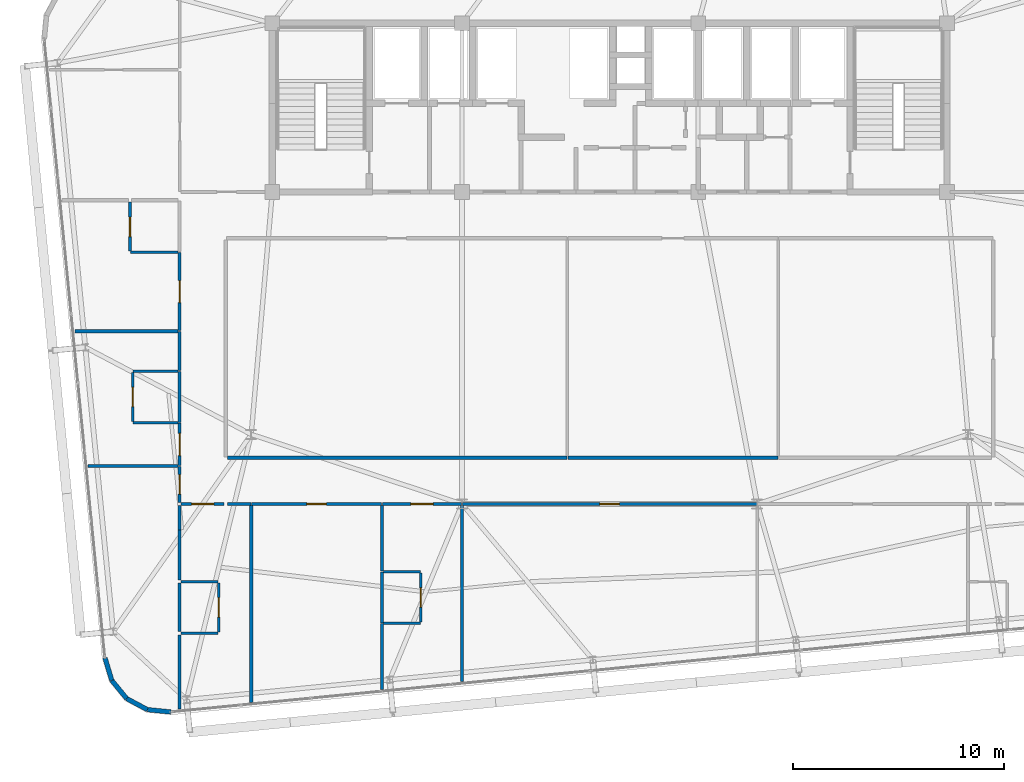
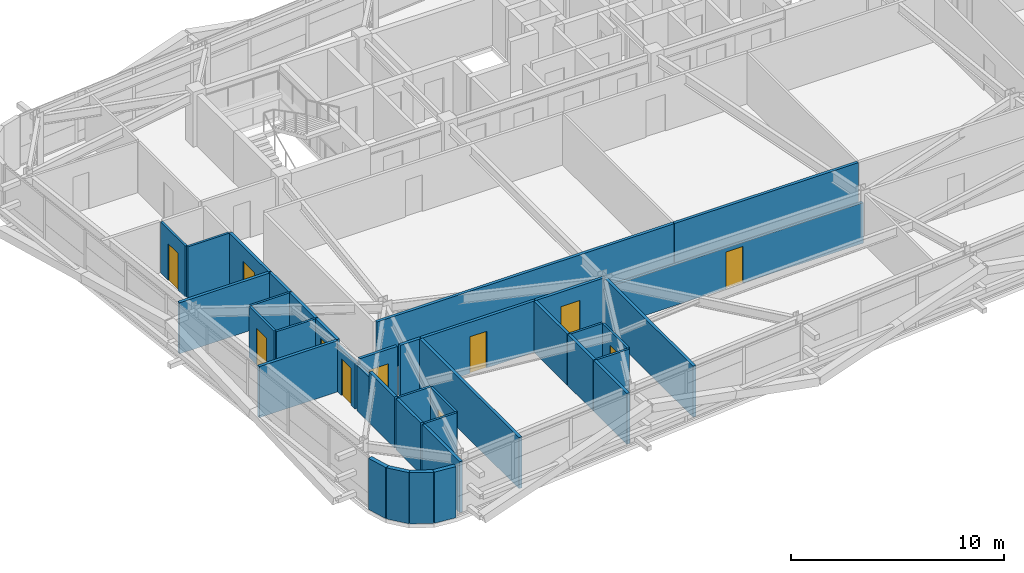
# One storey, part 46 of 53: 38 walls, 11 doors, 11 openings.
"""IFC4 building model written with IfcOpenShell, lengths in metres."""

from ifc_helpers import new_model, si_unit, direction, frame, frame_2d, origin, place, context, subcontext, project, spatial, rectangle, extrude, source, transform, mapped, material, layer, layer_set, type_object, element, fill, save


model = new_model("IFC4")

# Units and contexts
model_context = context("Model", 3, precision=1e-05, world=origin(), true_north=direction((0.0, 1.0)))
body_context = subcontext(model_context, "Body", "Model", "MODEL_VIEW")
ifc_project = project(units=[si_unit("LENGTHUNIT", "METRE"), si_unit("AREAUNIT", "SQUARE_METRE"), si_unit("VOLUMEUNIT", "CUBIC_METRE"), si_unit("PLANEANGLEUNIT", "RADIAN"), si_unit("MASSUNIT", "GRAM", prefix="KILO")], contexts=[model_context])

# Site, building, storey
site_placement = place(None, origin())
site = spatial("IfcSite", under=ifc_project, at=site_placement, CompositionType="ELEMENT")
building_placement = place(site_placement, origin())
building = spatial("IfcBuilding", under=site, at=building_placement, Name="Taldren Reach Tower", CompositionType="ELEMENT")
storey_placement = place(building_placement, frame((0.0, 0.0, 80.85009765625)))
storey = spatial("IfcBuildingStorey", under=building, at=storey_placement, Name="L24", CompositionType="ELEMENT", Elevation=80.85009765625)

# Walls
ifc_material_1 = material(Name="Pale Champagne Anodised Aluminium Cladding", Category="aluminium")
ifc_layer_1 = layer(ifc_material_1, 0.04, Name="Pale Champagne Anodised Aluminium Cladding", Category="aluminium")
ifc_material_2 = material(Name="Mineral Wool Acoustic Insulation", Category="insulation")
ifc_layer_2 = layer(ifc_material_2, 0.06, Name="Mineral Wool Acoustic Insulation", Category="insulation")
ifc_material_3 = material(Name="Steel Gr 350 (C350L0)", Category="steel")
ifc_layer_3 = layer(ifc_material_3, 0.12, Name="Steel Gr 350 (C350L0)", Category="steel")
ifc_layer_set_1 = layer_set([ifc_layer_1, ifc_layer_2, ifc_layer_3], Name="Pale Champagne Aluminium Cladding and Steel Gr 350 Stud Framing")
wall_type_1 = type_object("IfcWallType", Name="EW-CRN-220", PredefinedType="SOLIDWALL", material=ifc_layer_set_1)
shared_shape_1 = source(origin(), body_context, "Body", "SweptSolid", [
    extrude(rectangle(XDim=1.115966796875, YDim=0.219970703125, at=frame_2d((0.55810546875, 0.0))), origin(), (0.0, 0.0, 1.0), 2.929931640625),
])
for number, where, z_axis, x_axis, name in (
    (1, (11.062255859375, 1.90185546875, 0.0), (0.0, 0.0, 1.0), (0.289855603468, -0.957070388811, 0.0), "Rounded-corner pale-metal facade wall L24-SW1"),
    (2, (11.3857421875, 0.833740234375, 0.0), (0.0, 0.0, 1.0), (0.633988016432, -0.773342870285, 0.0), "Rounded-corner pale-metal facade wall L24-SW2"),
    (3, (13.0771484375, -0.5556640625, 0.0), (0.0, 0.0, 1.0), (0.995142755671, -0.09844234778, 0.0), "Rounded-corner pale-metal facade wall L24-SW4"),
):
    element("IfcWall", number, at=place(storey_placement, frame(where, z_axis=z_axis, x_axis=x_axis)), inside=storey, type_object=wall_type_1, Name=name, PredefinedType="SOLIDWALL", context=body_context, shape_type="MappedRepresentation", body=[
        mapped(shared_shape_1, transform((0.0, 0.0, 0.0), scale=1.0)),
    ])
shared_shape_2 = source(origin(), body_context, "Body", "SweptSolid", [
    extrude(rectangle(XDim=1.11572265625, YDim=0.219970703125, at=frame_2d((0.557861328125, 0.0))), origin(), (0.0, 0.0, 1.0), 2.929931640625),
])
wall_1_placement = place(storey_placement, frame((12.09326171875, -0.029296875, 0.0), z_axis=(0.0, 0.0, 1.0), x_axis=(0.881746547635, -0.471723463201, 0.0)))
element("IfcWall", 4, at=wall_1_placement, inside=storey, type_object=wall_type_1, Name="Rounded-corner pale-metal facade wall L24-SW3", PredefinedType="SOLIDWALL", context=body_context, shape_type="MappedRepresentation", body=[
    mapped(shared_shape_2, transform((0.0, 0.0, 0.0), scale=1.0)),
])

# Wall, opening, door
ifc_material_4 = material(Name="Fire-Rated Acoustic Plasterboard Stud Wall", Category="gypsum")
ifc_layer_4 = layer(ifc_material_4, 0.159912109375)
ifc_layer_set_2 = layer_set([ifc_layer_4], Name="Fire-Rated Acoustic Plasterboard Stud Wall")
wall_type_2 = type_object("IfcWallType", Name="IW-FIRE-160", PredefinedType="PARTITIONING", material=ifc_layer_set_2)
shared_shape_3 = source(origin(), body_context, "Body", "SweptSolid", [
    extrude(rectangle(XDim=2.0400390625, YDim=0.159912109375, at=frame_2d((1.02001953125, 0.0))), origin(), (0.0, 0.0, 1.0), 2.929931640625),
])
wall_2_placement = place(storey_placement, frame((16.719970703125, 9.199951171875, 0.0), z_axis=(0.0, 0.0, 1.0), x_axis=(-1.0, 0.0, 0.0)))
wall_2 = element("IfcWall", 5, at=wall_2_placement, inside=storey, type_object=wall_type_2, Name="Interior Partition Wall W-INT-L24-065", PredefinedType="PARTITIONING", context=body_context, shape_type="MappedRepresentation", body=[
    mapped(shared_shape_3, transform((0.0, 0.0, 0.0), scale=1.0)),
])
shared_shape_4 = source(origin(), body_context, "Body", "SweptSolid", [
    extrude(rectangle(XDim=1.050048828125, YDim=2.10009765625, at=frame_2d((0.52490234375, 1.050048828125))), frame((0.0, 0.08984375, 0.0), z_axis=(0.0, -1.0, 0.0), x_axis=(1.0, 0.0, 0.0)), (0.0, 0.0, 1.0), 0.179931640625),
])
opening_1_placement = place(wall_2_placement, frame((0.4951171875, 0.0, 0.0)))
opening_1 = element("IfcOpeningElement", 6, at=opening_1_placement, cuts=wall_2, Name="Opening DF-105", PredefinedType="OPENING", context=body_context, shape_type="MappedRepresentation", body=[
    mapped(shared_shape_4, transform((0.0, 0.0, 0.0), scale=1.0)),
])
ifc_material_5 = material(Name="Fire-Rated Care and Stair Exit Door")
door_type_1 = type_object("IfcDoorType", Name="ID-FIRE-105", OperationType="NOTDEFINED", PredefinedType="DOOR", material=ifc_material_5)
shared_shape_5 = source(origin(), body_context, "Body", "SweptSolid", [
    extrude(rectangle(XDim=1.050048828125, YDim=2.10009765625, at=frame_2d((0.52490234375, 1.050048828125))), frame((0.0, 0.02490234375, 0.0), z_axis=(0.0, -1.0, 0.0), x_axis=(1.0, 0.0, 0.0)), (0.0, 0.0, 1.0), 0.050048828125),
])
door_1_placement = place(opening_1_placement, origin())
door_1 = element("IfcDoor", 7, at=door_1_placement, inside=storey, type_object=door_type_1, Name="Interior Door DR-L24-017", OperationType="SINGLE_SWING_RIGHT", OverallHeight=2.10009765625, OverallWidth=1.050048828125, PredefinedType="DOOR", context=body_context, shape_type="MappedRepresentation", body=[
    mapped(shared_shape_5, transform((0.0, 0.0, 0.0), scale=1.0)),
])
fill(opening_1, door_1)

# Wall
shared_shape_6 = source(origin(), body_context, "Body", "SweptSolid", [
    extrude(rectangle(XDim=1.099853515625, YDim=0.159912109375, at=frame_2d((0.5498046875, 0.0))), origin(), (0.0, 0.0, 1.0), 2.929931640625),
])
wall_3_placement = place(storey_placement, frame((17.979736328125, 9.199951171875, 0.0), z_axis=(0.0, 0.0, 1.0), x_axis=(-1.0, 0.0, 0.0)))
element("IfcWall", 8, at=wall_3_placement, inside=storey, type_object=wall_type_2, Name="Interior Partition Wall W-INT-L24-080", PredefinedType="PARTITIONING", context=body_context, shape_type="MappedRepresentation", body=[
    mapped(shared_shape_6, transform((0.0, 0.0, 0.0), scale=1.0)),
])

# Wall, opening, door
ifc_material_6 = material(Name="Insulated Residential Stud Partition", Category="gypsum")
ifc_layer_5 = layer(ifc_material_6, 0.1201171875)
ifc_layer_set_3 = layer_set([ifc_layer_5], Name="Insulated Residential Stud Partition")
wall_type_3 = type_object("IfcWallType", Name="IW-PART-120", PredefinedType="PARTITIONING", material=ifc_layer_set_3)
shared_shape_7 = source(origin(), body_context, "Body", "SweptSolid", [
    extrude(rectangle(XDim=2.330078125, YDim=0.1201171875, at=frame_2d((1.1650390625, 0.0))), origin(), (0.0, 0.0, 1.0), 2.929931640625),
])
wall_4_placement = place(storey_placement, frame((16.449951171875, 3.131591796875, 0.0), z_axis=(0.0, 0.0, 1.0), x_axis=(0.0, 1.0, 0.0)))
wall_4 = element("IfcWall", 9, at=wall_4_placement, inside=storey, type_object=wall_type_3, Name="Interior Partition Wall W-INT-L24-088", PredefinedType="PARTITIONING", context=body_context, shape_type="MappedRepresentation", body=[
    mapped(shared_shape_7, transform((0.0, 0.0, 0.0), scale=1.0)),
])
shared_shape_8 = source(origin(), body_context, "Body", "SweptSolid", [
    extrude(rectangle(XDim=0.919921875, YDim=2.10009765625, at=frame_2d((0.4599609375, 1.050048828125))), frame((0.0, 0.070068359375, 0.0), z_axis=(0.0, -1.0, 0.0), x_axis=(1.0, 0.0, 0.0)), (0.0, 0.0, 1.0), 0.14013671875),
])
opening_2_placement = place(wall_4_placement, frame((0.705078125, 0.0, 0.0)))
opening_2 = element("IfcOpeningElement", 10, at=opening_2_placement, cuts=wall_4, Name="Opening DI-092", PredefinedType="OPENING", context=body_context, shape_type="MappedRepresentation", body=[
    mapped(shared_shape_8, transform((0.0, 0.0, 0.0), scale=1.0)),
])
ifc_material_7 = material(Name="Solid-Core Timber Suite Door", Category="wood")
door_type_2 = type_object("IfcDoorType", Name="ID-INT-092", OperationType="NOTDEFINED", PredefinedType="DOOR", material=ifc_material_7)
shared_shape_9 = source(origin(), body_context, "Body", "SweptSolid", [
    extrude(rectangle(XDim=0.919921875, YDim=2.10009765625, at=frame_2d((0.4599609375, 1.050048828125))), frame((0.0, 0.02490234375, 0.0), z_axis=(0.0, -1.0, 0.0), x_axis=(1.0, 0.0, 0.0)), (0.0, 0.0, 1.0), 0.050048828125),
])
door_2_placement = place(opening_2_placement, origin())
door_2 = element("IfcDoor", 11, at=door_2_placement, inside=storey, type_object=door_type_2, Name="Interior Door DR-L24-029", OperationType="SINGLE_SWING_RIGHT", OverallHeight=2.10009765625, OverallWidth=0.919921875, PredefinedType="DOOR", context=body_context, shape_type="MappedRepresentation", body=[
    mapped(shared_shape_9, transform((0.0, 0.0, 0.0), scale=1.0)),
])
fill(opening_2, door_2)

# Walls
shared_shape_10 = source(origin(), body_context, "Body", "SweptSolid", [
    extrude(rectangle(XDim=1.749755859375, YDim=0.1201171875, at=frame_2d((0.875, 0.0))), origin(), (0.0, 0.0, 1.0), 2.929931640625),
])
for number, where, z_axis, x_axis, name in (
    (12, (14.679931640625, 3.071533203125, 0.0), (0.0, 0.0, 1.0), (1.0, 0.0, 0.0), "Interior Partition Wall W-INT-L24-089"),
    (13, (16.4296875, 5.521484375, 0.0), (0.0, 0.0, 1.0), (-1.0, 0.0, 0.0), "Interior Partition Wall W-INT-L24-090"),
    (14, (24.280029296875, 3.542236328125, 0.0), (0.0, 0.0, 1.0), (1.0, 0.0, 0.0), "Interior Partition Wall W-INT-L24-099"),
    (15, (26.02978515625, 5.9921875, 0.0), (0.0, 0.0, 1.0), (-1.0, 0.0, 0.0), "Interior Partition Wall W-INT-L24-100"),
):
    element("IfcWall", number, at=place(storey_placement, frame(where, z_axis=z_axis, x_axis=x_axis)), inside=storey, type_object=wall_type_3, Name=name, PredefinedType="PARTITIONING", context=body_context, shape_type="MappedRepresentation", body=[
        mapped(shared_shape_10, transform((0.0, 0.0, 0.0), scale=1.0)),
    ])
shared_shape_11 = source(origin(), body_context, "Body", "SweptSolid", [
    extrude(rectangle(XDim=2.40966796875, YDim=0.159912109375, at=frame_2d((1.204833984375, 0.0))), origin(), (0.0, 0.0, 1.0), 2.929931640625),
])
wall_5_placement = place(storey_placement, frame((24.199951171875, 5.97216796875, 0.0), z_axis=(0.0, 0.0, 1.0), x_axis=(0.0, -1.0, 0.0)))
element("IfcWall", 16, at=wall_5_placement, inside=storey, type_object=wall_type_2, Name="Interior Partition Wall W-INT-L24-097", PredefinedType="PARTITIONING", context=body_context, shape_type="MappedRepresentation", body=[
    mapped(shared_shape_11, transform((0.0, 0.0, 0.0), scale=1.0)),
])
shared_shape_12 = source(origin(), body_context, "Body", "SweptSolid", [
    extrude(rectangle(XDim=2.2900390625, YDim=0.159912109375, at=frame_2d((1.14501953125, 0.0))), origin(), (0.0, 0.0, 1.0), 2.929931640625),
])
wall_6_placement = place(storey_placement, frame((14.60009765625, 3.151611328125, 0.0), z_axis=(0.0, 0.0, 1.0), x_axis=(0.0, 1.0, 0.0)))
element("IfcWall", 17, at=wall_6_placement, inside=storey, type_object=wall_type_2, Name="Interior Partition Wall W-INT-L24-094", PredefinedType="PARTITIONING", context=body_context, shape_type="MappedRepresentation", body=[
    mapped(shared_shape_12, transform((0.0, 0.0, 0.0), scale=1.0)),
])
shared_shape_13 = source(origin(), body_context, "Body", "SweptSolid", [
    extrude(rectangle(XDim=9.95947265625, YDim=0.159912109375, at=frame_2d((4.979736328125, 0.0))), origin(), (0.0, 0.0, 1.0), 2.929931640625),
])
wall_7_placement = place(storey_placement, frame((33.020263671875, 11.39990234375, 0.0), z_axis=(0.0, 0.0, 1.0), x_axis=(1.0, 0.0, 0.0)))
element("IfcWall", 18, at=wall_7_placement, inside=storey, type_object=wall_type_2, Name="Interior Partition Wall W-INT-L24-078", PredefinedType="PARTITIONING", context=body_context, shape_type="MappedRepresentation", body=[
    mapped(shared_shape_13, transform((0.0, 0.0, 0.0), scale=1.0)),
])

# Wall, opening, door
shared_shape_14 = source(origin(), body_context, "Body", "SweptSolid", [
    extrude(rectangle(XDim=13.95947265625, YDim=0.159912109375, at=frame_2d((6.979736328125, 0.0))), origin(), (0.0, 0.0, 1.0), 2.327880859375),
])
wall_8_placement = place(storey_placement, frame((41.979736328125, 9.199951171875, 0.0), z_axis=(0.0, 0.0, 1.0), x_axis=(-1.0, 0.0, 0.0)))
wall_8 = element("IfcWall", 19, at=wall_8_placement, inside=storey, type_object=wall_type_2, Name="Interior Partition Wall W-INT-L24-083", PredefinedType="PARTITIONING", context=body_context, shape_type="MappedRepresentation", body=[
    mapped(shared_shape_14, transform((0.0, 0.0, 0.0), scale=1.0)),
])
shared_shape_15 = source(origin(), body_context, "Body", "SweptSolid", [
    extrude(rectangle(XDim=0.919921875, YDim=2.10009765625, at=frame_2d((0.4599609375, 1.050048828125))), frame((0.0, 0.08984375, 0.0), z_axis=(0.0, -1.0, 0.0), x_axis=(1.0, 0.0, 0.0)), (0.0, 0.0, 1.0), 0.179931640625),
])
opening_3_placement = place(wall_8_placement, frame((6.519775390625, 0.0, 0.0)))
opening_3 = element("IfcOpeningElement", 20, at=opening_3_placement, cuts=wall_8, Name="Opening DI-092", PredefinedType="OPENING", context=body_context, shape_type="MappedRepresentation", body=[
    mapped(shared_shape_15, transform((0.0, 0.0, 0.0), scale=1.0)),
])
door_3_placement = place(opening_3_placement, origin())
door_3 = element("IfcDoor", 21, at=door_3_placement, inside=storey, type_object=door_type_2, Name="Interior Door DR-L24-027", OperationType="SINGLE_SWING_RIGHT", OverallHeight=2.10009765625, OverallWidth=0.919921875, PredefinedType="DOOR", context=body_context, shape_type="MappedRepresentation", body=[
    mapped(shared_shape_9, transform((0.0, 0.0, 0.0), scale=1.0)),
])
fill(opening_3, door_3)

# Wall
shared_shape_16 = source(origin(), body_context, "Body", "SweptSolid", [
    extrude(rectangle(XDim=16.099853515625, YDim=0.159912109375, at=frame_2d((8.0498046875, 0.0))), origin(), (0.0, 0.0, 1.0), 2.929931640625),
])
wall_9_placement = place(storey_placement, frame((16.8798828125, 11.39990234375, 0.0), z_axis=(0.0, 0.0, 1.0), x_axis=(1.0, 0.0, 0.0)))
element("IfcWall", 22, at=wall_9_placement, inside=storey, type_object=wall_type_2, Name="Interior Partition Wall W-INT-L24-077", PredefinedType="PARTITIONING", context=body_context, shape_type="MappedRepresentation", body=[
    mapped(shared_shape_16, transform((0.0, 0.0, 0.0), scale=1.0)),
])

# Wall, opening, door
shared_shape_17 = source(origin(), body_context, "Body", "SweptSolid", [
    extrude(rectangle(XDim=6.159423828125, YDim=0.159912109375, at=frame_2d((3.07958984375, 0.0))), origin(), (0.0, 0.0, 1.0), 2.929931640625),
])
wall_10_placement = place(storey_placement, frame((24.1796875, 9.199951171875, 0.0), z_axis=(0.0, 0.0, 1.0), x_axis=(-1.0, 0.0, 0.0)))
wall_10 = element("IfcWall", 23, at=wall_10_placement, inside=storey, type_object=wall_type_2, Name="Interior Partition Wall W-INT-L24-081", PredefinedType="PARTITIONING", context=body_context, shape_type="MappedRepresentation", body=[
    mapped(shared_shape_17, transform((0.0, 0.0, 0.0), scale=1.0)),
])
opening_4_placement = place(wall_10_placement, frame((2.619873046875, 0.0, 0.0)))
opening_4 = element("IfcOpeningElement", 24, at=opening_4_placement, cuts=wall_10, Name="Opening DI-092", PredefinedType="OPENING", context=body_context, shape_type="MappedRepresentation", body=[
    mapped(shared_shape_15, transform((0.0, 0.0, 0.0), scale=1.0)),
])
door_4_placement = place(opening_4_placement, origin())
door_4 = element("IfcDoor", 25, at=door_4_placement, inside=storey, type_object=door_type_2, Name="Interior Door DR-L24-025", OperationType="SINGLE_SWING_RIGHT", OverallHeight=2.10009765625, OverallWidth=0.919921875, PredefinedType="DOOR", context=body_context, shape_type="MappedRepresentation", body=[
    mapped(shared_shape_9, transform((0.0, 0.0, 0.0), scale=1.0)),
])
fill(opening_4, door_4)

shared_shape_18 = source(origin(), body_context, "Body", "SweptSolid", [
    extrude(rectangle(XDim=3.759521484375, YDim=0.159912109375, at=frame_2d((1.8798828125, 0.0))), origin(), (0.0, 0.0, 1.0), 2.929931640625),
])
wall_11_placement = place(storey_placement, frame((27.979736328125, 9.199951171875, 0.0), z_axis=(0.0, 0.0, 1.0), x_axis=(-1.0, 0.0, 0.0)))
wall_11 = element("IfcWall", 26, at=wall_11_placement, inside=storey, type_object=wall_type_2, Name="Interior Partition Wall W-INT-L24-082", PredefinedType="PARTITIONING", context=body_context, shape_type="MappedRepresentation", body=[
    mapped(shared_shape_18, transform((0.0, 0.0, 0.0), scale=1.0)),
])
opening_5_placement = place(wall_11_placement, frame((1.354736328125, 0.0, 0.0)))
opening_5 = element("IfcOpeningElement", 27, at=opening_5_placement, cuts=wall_11, Name="Opening DF-105", PredefinedType="OPENING", context=body_context, shape_type="MappedRepresentation", body=[
    mapped(shared_shape_4, transform((0.0, 0.0, 0.0), scale=1.0)),
])
door_5_placement = place(opening_5_placement, origin())
door_5 = element("IfcDoor", 28, at=door_5_placement, inside=storey, type_object=door_type_1, Name="Interior Door DR-L24-026", OperationType="SINGLE_SWING_LEFT", OverallHeight=2.10009765625, OverallWidth=1.050048828125, PredefinedType="DOOR", context=body_context, shape_type="MappedRepresentation", body=[
    mapped(shared_shape_5, transform((0.0, 0.0, 0.0), scale=1.0)),
])
fill(opening_5, door_5)

# Walls
shared_shape_19 = source(origin(), body_context, "Body", "SweptSolid", [
    extrude(rectangle(XDim=2.409423828125, YDim=0.159912109375, at=frame_2d((1.20458984375, 0.0))), origin(), (0.0, 0.0, 1.0), 2.929931640625),
])
wall_12_placement = place(storey_placement, frame((14.60009765625, 13.0703125, 0.0), z_axis=(0.0, 0.0, 1.0), x_axis=(0.0, 1.0, 0.0)))
element("IfcWall", 29, at=wall_12_placement, inside=storey, type_object=wall_type_2, Name="Interior Partition Wall W-INT-L24-070", PredefinedType="PARTITIONING", context=body_context, shape_type="MappedRepresentation", body=[
    mapped(shared_shape_19, transform((0.0, 0.0, 0.0), scale=1.0)),
])
shared_shape_20 = source(origin(), body_context, "Body", "SweptSolid", [
    extrude(rectangle(XDim=2.249755859375, YDim=0.1201171875, at=frame_2d((1.125, 0.0))), origin(), (0.0, 0.0, 1.0), 2.929931640625),
])
wall_13_placement = place(storey_placement, frame((12.270263671875, 21.14990234375, 0.0), z_axis=(0.0, 0.0, 1.0), x_axis=(1.0, 0.0, 0.0)))
element("IfcWall", 30, at=wall_13_placement, inside=storey, type_object=wall_type_3, Name="Interior Partition Wall W-INT-L24-114", PredefinedType="PARTITIONING", context=body_context, shape_type="MappedRepresentation", body=[
    mapped(shared_shape_20, transform((0.0, 0.0, 0.0), scale=1.0)),
])
shared_shape_21 = source(origin(), body_context, "Body", "SweptSolid", [
    extrude(rectangle(XDim=9.3251953125, YDim=0.159912109375, at=frame_2d((4.66259765625, 0.0))), origin(), (0.0, 0.0, 1.0), 2.929931640625),
])
wall_14_placement = place(storey_placement, frame((18.0, 9.117919921875, 0.0), z_axis=(0.0, 0.0, 1.0), x_axis=(0.0, -1.0, 0.0)))
element("IfcWall", 31, at=wall_14_placement, inside=storey, type_object=wall_type_2, Name="Interior Partition Wall W-INT-L24-091", PredefinedType="PARTITIONING", context=body_context, shape_type="MappedRepresentation", body=[
    mapped(shared_shape_21, transform((0.0, 0.0, 0.0), scale=1.0)),
])
shared_shape_22 = source(origin(), body_context, "Body", "SweptSolid", [
    extrude(rectangle(XDim=3.5166015625, YDim=0.159912109375, at=frame_2d((1.75830078125, 0.0))), origin(), (0.0, 0.0, 1.0), 2.929931640625),
])
wall_15_placement = place(storey_placement, frame((14.60009765625, -0.52490234375, 0.0), z_axis=(0.0, 0.0, 1.0), x_axis=(0.0, 1.0, 0.0)))
element("IfcWall", 32, at=wall_15_placement, inside=storey, type_object=wall_type_2, Name="Interior Partition Wall W-INT-L24-092", PredefinedType="PARTITIONING", context=body_context, shape_type="MappedRepresentation", body=[
    mapped(shared_shape_22, transform((0.0, 0.0, 0.0), scale=1.0)),
])
shared_shape_23 = source(origin(), body_context, "Body", "SweptSolid", [
    extrude(rectangle(XDim=2.373046875, YDim=0.159912109375, at=frame_2d((1.1865234375, 0.0))), origin(), (0.0, 0.0, 1.0), 2.929931640625),
])
wall_16_placement = place(storey_placement, frame((14.60009765625, 5.6015625, 0.0), z_axis=(0.0, 0.0, 1.0), x_axis=(0.0, 1.0, 0.0)))
element("IfcWall", 33, at=wall_16_placement, inside=storey, type_object=wall_type_2, Name="Interior Partition Wall W-INT-L24-093", PredefinedType="PARTITIONING", context=body_context, shape_type="MappedRepresentation", body=[
    mapped(shared_shape_23, transform((0.0, 0.0, 0.0), scale=1.0)),
])

# Wall, opening, door
shared_shape_24 = source(origin(), body_context, "Body", "SweptSolid", [
    extrude(rectangle(XDim=2.329833984375, YDim=0.1201171875, at=frame_2d((1.1650390625, 0.0))), origin(), (0.0, 0.0, 1.0), 2.929931640625),
])
wall_17_placement = place(storey_placement, frame((26.050048828125, 3.602294921875, 0.0), z_axis=(0.0, 0.0, 1.0), x_axis=(0.0, 1.0, 0.0)))
wall_17 = element("IfcWall", 34, at=wall_17_placement, inside=storey, type_object=wall_type_3, Name="Interior Partition Wall W-INT-L24-098", PredefinedType="PARTITIONING", context=body_context, shape_type="MappedRepresentation", body=[
    mapped(shared_shape_24, transform((0.0, 0.0, 0.0), scale=1.0)),
])
opening_6_placement = place(wall_17_placement, frame((0.705078125, 0.0, 0.0)))
opening_6 = element("IfcOpeningElement", 35, at=opening_6_placement, cuts=wall_17, Name="Opening DI-092", PredefinedType="OPENING", context=body_context, shape_type="MappedRepresentation", body=[
    mapped(shared_shape_8, transform((0.0, 0.0, 0.0), scale=1.0)),
])
door_6_placement = place(opening_6_placement, origin())
door_6 = element("IfcDoor", 36, at=door_6_placement, inside=storey, type_object=door_type_2, Name="Interior Door DR-L24-030", OperationType="SINGLE_SWING_LEFT", OverallHeight=2.10009765625, OverallWidth=0.919921875, PredefinedType="DOOR", context=body_context, shape_type="MappedRepresentation", body=[
    mapped(shared_shape_9, transform((0.0, 0.0, 0.0), scale=1.0)),
])
fill(opening_6, door_6)

wall_18_placement = place(storey_placement, frame((12.3828125, 15.43994140625, 0.0), z_axis=(0.0, 0.0, 1.0), x_axis=(0.0, -1.0, 0.0)))
wall_18 = element("IfcWall", 37, at=wall_18_placement, inside=storey, type_object=wall_type_3, Name="Interior Partition Wall W-INT-L24-109", PredefinedType="PARTITIONING", context=body_context, shape_type="MappedRepresentation", body=[
    mapped(shared_shape_24, transform((0.0, 0.0, 0.0), scale=1.0)),
])
opening_7_placement = place(wall_18_placement, frame((0.705078125, 0.0, 0.0)))
opening_7 = element("IfcOpeningElement", 38, at=opening_7_placement, cuts=wall_18, Name="Opening DI-092", PredefinedType="OPENING", context=body_context, shape_type="MappedRepresentation", body=[
    mapped(shared_shape_8, transform((0.0, 0.0, 0.0), scale=1.0)),
])
door_7_placement = place(opening_7_placement, origin())
door_7 = element("IfcDoor", 39, at=door_7_placement, inside=storey, type_object=door_type_2, Name="Interior Door DR-L24-032", OperationType="SINGLE_SWING_LEFT", OverallHeight=2.10009765625, OverallWidth=0.919921875, PredefinedType="DOOR", context=body_context, shape_type="MappedRepresentation", body=[
    mapped(shared_shape_9, transform((0.0, 0.0, 0.0), scale=1.0)),
])
fill(opening_7, door_7)

shared_shape_25 = source(origin(), body_context, "Body", "SweptSolid", [
    extrude(rectangle(XDim=1.69970703125, YDim=0.159912109375, at=frame_2d((0.849853515625, 0.0))), origin(), (0.0, 0.0, 1.0), 2.622802734375),
])
wall_19_placement = place(storey_placement, frame((14.60009765625, 9.280029296875, 0.0), z_axis=(0.0, 0.0, 1.0), x_axis=(0.0, 1.0, 0.0)))
wall_19 = element("IfcWall", 40, at=wall_19_placement, inside=storey, type_object=wall_type_2, Name="Interior Partition Wall W-INT-L24-067", PredefinedType="PARTITIONING", context=body_context, shape_type="MappedRepresentation", body=[
    mapped(shared_shape_25, transform((0.0, 0.0, 0.0), scale=1.0)),
])
opening_8_placement = place(wall_19_placement, frame((0.389892578125, 0.0, 0.0)))
opening_8 = element("IfcOpeningElement", 41, at=opening_8_placement, cuts=wall_19, Name="Opening DI-092", PredefinedType="OPENING", context=body_context, shape_type="MappedRepresentation", body=[
    mapped(shared_shape_15, transform((0.0, 0.0, 0.0), scale=1.0)),
])
door_8_placement = place(opening_8_placement, origin())
door_8 = element("IfcDoor", 42, at=door_8_placement, inside=storey, type_object=door_type_2, Name="Interior Door DR-L24-019", OperationType="SINGLE_SWING_RIGHT", OverallHeight=2.10009765625, OverallWidth=0.919921875, PredefinedType="DOOR", context=body_context, shape_type="MappedRepresentation", body=[
    mapped(shared_shape_9, transform((0.0, 0.0, 0.0), scale=1.0)),
])
fill(opening_8, door_8)

shared_shape_26 = source(origin(), body_context, "Body", "SweptSolid", [
    extrude(rectangle(XDim=2.009521484375, YDim=0.159912109375, at=frame_2d((1.0048828125, 0.0))), origin(), (0.0, 0.0, 1.0), 2.929931640625),
])
wall_20_placement = place(storey_placement, frame((14.60009765625, 11.020263671875, 0.0), z_axis=(0.0, 0.0, 1.0), x_axis=(0.0, 1.0, 0.0)))
wall_20 = element("IfcWall", 43, at=wall_20_placement, inside=storey, type_object=wall_type_2, Name="Interior Partition Wall W-INT-L24-068", PredefinedType="PARTITIONING", context=body_context, shape_type="MappedRepresentation", body=[
    mapped(shared_shape_26, transform((0.0, 0.0, 0.0), scale=1.0)),
])
opening_9_placement = place(wall_20_placement, frame((0.479736328125, 0.0, 0.0)))
opening_9 = element("IfcOpeningElement", 44, at=opening_9_placement, cuts=wall_20, Name="Opening DF-105", PredefinedType="OPENING", context=body_context, shape_type="MappedRepresentation", body=[
    mapped(shared_shape_4, transform((0.0, 0.0, 0.0), scale=1.0)),
])
door_9_placement = place(opening_9_placement, origin())
door_9 = element("IfcDoor", 45, at=door_9_placement, inside=storey, type_object=door_type_1, Name="Interior Door DR-L24-020", OperationType="SINGLE_SWING_LEFT", OverallHeight=2.10009765625, OverallWidth=1.050048828125, PredefinedType="DOOR", context=body_context, shape_type="MappedRepresentation", body=[
    mapped(shared_shape_5, transform((0.0, 0.0, 0.0), scale=1.0)),
])
fill(opening_9, door_9)

# Wall
shared_shape_27 = source(origin(), body_context, "Body", "SweptSolid", [
    extrude(rectangle(XDim=1.859375, YDim=0.159912109375, at=frame_2d((0.9296875, 0.0))), origin(), (0.0, 0.0, 1.0), 2.929931640625),
])
wall_21_placement = place(storey_placement, frame((14.60009765625, 15.520263671875, 0.0), z_axis=(0.0, 0.0, 1.0), x_axis=(0.0, 1.0, 0.0)))
element("IfcWall", 46, at=wall_21_placement, inside=storey, type_object=wall_type_2, Name="Interior Partition Wall W-INT-L24-069", PredefinedType="PARTITIONING", context=body_context, shape_type="MappedRepresentation", body=[
    mapped(shared_shape_27, transform((0.0, 0.0, 0.0), scale=1.0)),
])

# Wall, opening, door
shared_shape_28 = source(origin(), body_context, "Body", "SweptSolid", [
    extrude(rectangle(XDim=3.70947265625, YDim=0.159912109375, at=frame_2d((1.854736328125, 0.0))), origin(), (0.0, 0.0, 1.0), 2.929931640625),
])
wall_22_placement = place(storey_placement, frame((14.60009765625, 17.42041015625, 0.0), z_axis=(0.0, 0.0, 1.0), x_axis=(0.0, 1.0, 0.0)))
wall_22 = element("IfcWall", 47, at=wall_22_placement, inside=storey, type_object=wall_type_2, Name="Interior Partition Wall W-INT-L24-071", PredefinedType="PARTITIONING", context=body_context, shape_type="MappedRepresentation", body=[
    mapped(shared_shape_28, transform((0.0, 0.0, 0.0), scale=1.0)),
])
opening_10_placement = place(wall_22_placement, frame((1.32958984375, 0.0, 0.0)))
opening_10 = element("IfcOpeningElement", 48, at=opening_10_placement, cuts=wall_22, Name="Opening DF-105", PredefinedType="OPENING", context=body_context, shape_type="MappedRepresentation", body=[
    mapped(shared_shape_4, transform((0.0, 0.0, 0.0), scale=1.0)),
])
door_10_placement = place(opening_10_placement, origin())
door_10 = element("IfcDoor", 49, at=door_10_placement, inside=storey, type_object=door_type_1, Name="Interior Door DR-L24-021", OperationType="SINGLE_SWING_RIGHT", OverallHeight=2.10009765625, OverallWidth=1.050048828125, PredefinedType="DOOR", context=body_context, shape_type="MappedRepresentation", body=[
    mapped(shared_shape_5, transform((0.0, 0.0, 0.0), scale=1.0)),
])
fill(opening_10, door_10)

# Walls
shared_shape_29 = source(origin(), body_context, "Body", "SweptSolid", [
    extrude(rectangle(XDim=1.143310546875, YDim=0.159912109375, at=frame_2d((0.57177734375, 0.0))), origin(), (0.0, 0.0, 1.0), 2.622802734375),
])
wall_23_placement = place(storey_placement, frame((14.60009765625, 7.974609375, 0.0), z_axis=(0.0, 0.0, 1.0), x_axis=(0.0, 1.0, 0.0)))
element("IfcWall", 50, at=wall_23_placement, inside=storey, type_object=wall_type_2, Name="Interior Partition Wall W-INT-L24-093 part 2", PredefinedType="PARTITIONING", context=body_context, shape_type="MappedRepresentation", body=[
    mapped(shared_shape_29, transform((0.0, 0.0, 0.0), scale=1.0)),
])
shared_shape_30 = source(origin(), body_context, "Body", "SweptSolid", [
    extrude(rectangle(XDim=3.12353515625, YDim=0.159912109375, at=frame_2d((1.561767578125, 0.0))), origin(), (0.0, 0.0, 1.0), 2.929931640625),
])
wall_24_placement = place(storey_placement, frame((24.199951171875, 3.522216796875, 0.0), z_axis=(0.0, 0.0, 1.0), x_axis=(0.0, -1.0, 0.0)))
element("IfcWall", 51, at=wall_24_placement, inside=storey, type_object=wall_type_2, Name="Interior Partition Wall W-INT-L24-095", PredefinedType="PARTITIONING", context=body_context, shape_type="MappedRepresentation", body=[
    mapped(shared_shape_30, transform((0.0, 0.0, 0.0), scale=1.0)),
])
shared_shape_31 = source(origin(), body_context, "Body", "SweptSolid", [
    extrude(rectangle(XDim=3.107666015625, YDim=0.159912109375, at=frame_2d((1.5537109375, 0.0))), origin(), (0.0, 0.0, 1.0), 2.929931640625),
])
wall_25_placement = place(storey_placement, frame((24.199951171875, 9.1201171875, 0.0), z_axis=(0.0, 0.0, 1.0), x_axis=(0.0, -1.0, 0.0)))
element("IfcWall", 52, at=wall_25_placement, inside=storey, type_object=wall_type_2, Name="Interior Partition Wall W-INT-L24-096", PredefinedType="PARTITIONING", context=body_context, shape_type="MappedRepresentation", body=[
    mapped(shared_shape_31, transform((0.0, 0.0, 0.0), scale=1.0)),
])
shared_shape_32 = source(origin(), body_context, "Body", "SweptSolid", [
    extrude(rectangle(XDim=8.3447265625, YDim=0.159912109375, at=frame_2d((4.17236328125, 0.0))), origin(), (0.0, 0.0, 1.0), 2.929931640625),
])
wall_26_placement = place(storey_placement, frame((28.0, 9.117919921875, 0.0), z_axis=(0.0, 0.0, 1.0), x_axis=(0.0, -1.0, 0.0)))
element("IfcWall", 53, at=wall_26_placement, inside=storey, type_object=wall_type_2, Name="Interior Partition Wall W-INT-L24-101", PredefinedType="PARTITIONING", context=body_context, shape_type="MappedRepresentation", body=[
    mapped(shared_shape_32, transform((0.0, 0.0, 0.0), scale=1.0)),
])
shared_shape_33 = source(origin(), body_context, "Body", "SweptSolid", [
    extrude(rectangle(XDim=4.25146484375, YDim=0.159912109375, at=frame_2d((2.125732421875, 0.0))), origin(), (0.0, 0.0, 1.0), 2.929931640625),
])
wall_27_placement = place(storey_placement, frame((10.2685546875, 11.0, 0.0), z_axis=(0.0, 0.0, 1.0), x_axis=(1.0, 0.0, 0.0)))
element("IfcWall", 54, at=wall_27_placement, inside=storey, type_object=wall_type_2, Name="Interior Partition Wall W-INT-L24-108", PredefinedType="PARTITIONING", context=body_context, shape_type="MappedRepresentation", body=[
    mapped(shared_shape_33, transform((0.0, 0.0, 0.0), scale=1.0)),
])
shared_shape_34 = source(origin(), body_context, "Body", "SweptSolid", [
    extrude(rectangle(XDim=2.116943359375, YDim=0.1201171875, at=frame_2d((1.05859375, 0.0))), origin(), (0.0, 0.0, 1.0), 2.929931640625),
])
for number, where, z_axis, x_axis, name in (
    (55, (12.403076171875, 13.050048828125, 0.0), (0.0, 0.0, 1.0), (1.0, 0.0, 0.0), "Interior Partition Wall W-INT-L24-110"),
    (56, (14.52001953125, 15.5, 0.0), (0.0, 0.0, 1.0), (-1.0, 0.0, 0.0), "Interior Partition Wall W-INT-L24-111"),
):
    element("IfcWall", number, at=place(storey_placement, frame(where, z_axis=z_axis, x_axis=x_axis)), inside=storey, type_object=wall_type_3, Name=name, PredefinedType="PARTITIONING", context=body_context, shape_type="MappedRepresentation", body=[
        mapped(shared_shape_34, transform((0.0, 0.0, 0.0), scale=1.0)),
    ])
shared_shape_35 = source(origin(), body_context, "Body", "SweptSolid", [
    extrude(rectangle(XDim=4.875244140625, YDim=0.159912109375, at=frame_2d((2.4375, 0.0))), origin(), (0.0, 0.0, 1.0), 2.929931640625),
])
wall_28_placement = place(storey_placement, frame((9.642822265625, 17.39990234375, 0.0), z_axis=(0.0, 0.0, 1.0), x_axis=(1.0, 0.0, 0.0)))
element("IfcWall", 57, at=wall_28_placement, inside=storey, type_object=wall_type_2, Name="Interior Partition Wall W-INT-L24-112", PredefinedType="PARTITIONING", context=body_context, shape_type="MappedRepresentation", body=[
    mapped(shared_shape_35, transform((0.0, 0.0, 0.0), scale=1.0)),
])

# Wall, opening, door
shared_shape_36 = source(origin(), body_context, "Body", "SweptSolid", [
    extrude(rectangle(XDim=2.31005859375, YDim=0.1201171875, at=frame_2d((1.155029296875, 0.0))), origin(), (0.0, 0.0, 1.0), 2.929931640625),
])
wall_29_placement = place(storey_placement, frame((12.25, 23.52001953125, 0.0), z_axis=(0.0, 0.0, 1.0), x_axis=(0.0, -1.0, 0.0)))
wall_29 = element("IfcWall", 58, at=wall_29_placement, inside=storey, type_object=wall_type_3, Name="Interior Partition Wall W-INT-L24-113", PredefinedType="PARTITIONING", context=body_context, shape_type="MappedRepresentation", body=[
    mapped(shared_shape_36, transform((0.0, 0.0, 0.0), scale=1.0)),
])
opening_11_placement = place(wall_29_placement, frame((0.71484375, 0.0, 0.0)))
opening_11 = element("IfcOpeningElement", 59, at=opening_11_placement, cuts=wall_29, Name="Opening DI-092", PredefinedType="OPENING", context=body_context, shape_type="MappedRepresentation", body=[
    mapped(shared_shape_8, transform((0.0, 0.0, 0.0), scale=1.0)),
])
door_11_placement = place(opening_11_placement, origin())
door_11 = element("IfcDoor", 60, at=door_11_placement, inside=storey, type_object=door_type_2, Name="Interior Door DR-L24-033", OperationType="SINGLE_SWING_RIGHT", OverallHeight=2.10009765625, OverallWidth=0.919921875, PredefinedType="DOOR", context=body_context, shape_type="MappedRepresentation", body=[
    mapped(shared_shape_9, transform((0.0, 0.0, 0.0), scale=1.0)),
])
fill(opening_11, door_11)

save(model, "model.ifc")
